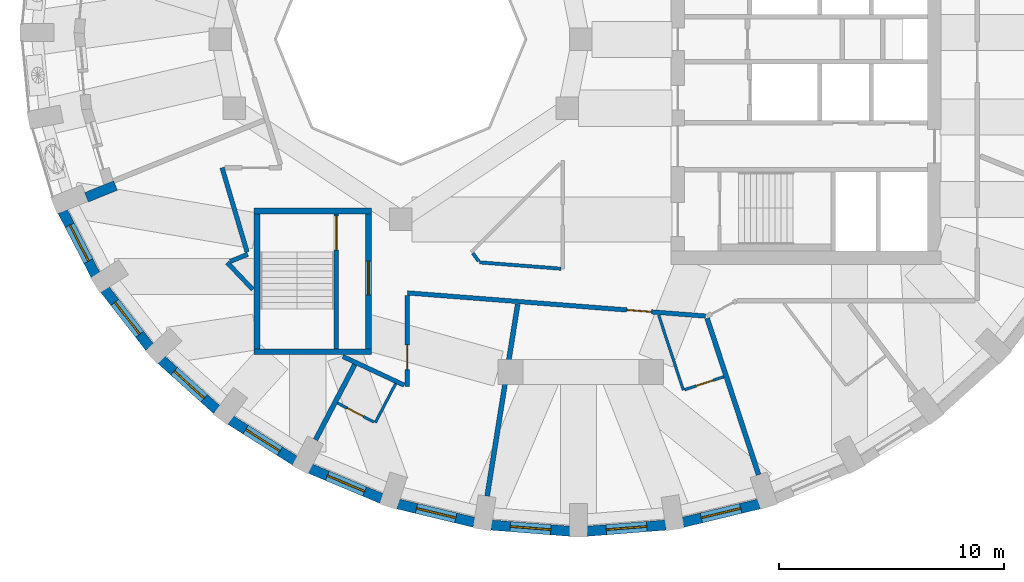
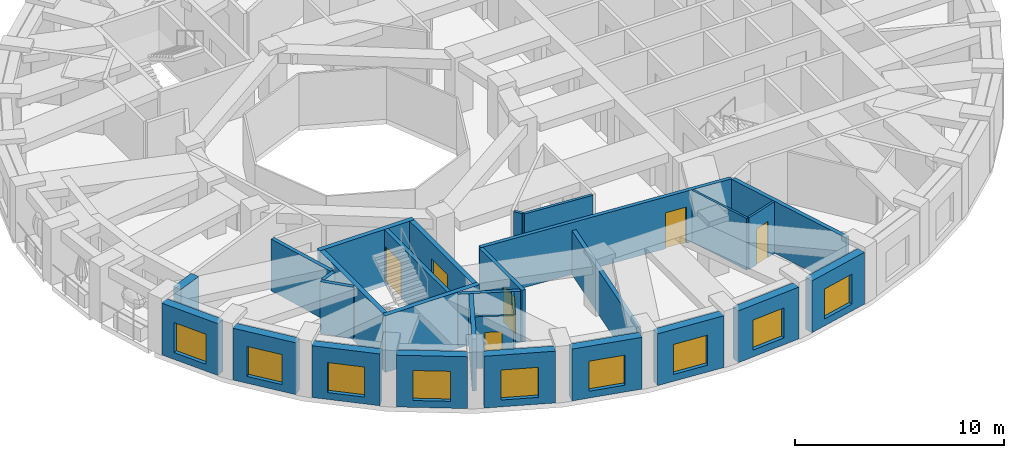
# One storey, part 3 of 12: 30 walls, 9 windows, 6 doors, 15 openings.
"""IFC4 building model written with IfcOpenShell, lengths in metres."""

from ifc_helpers import new_model, si_unit, direction, frame, frame_2d, origin, place, context, subcontext, project, spatial, rectangle, extrude, material, layer, layer_set, type_object, element, fill, save


model = new_model("IFC4")

# Units and contexts
model_context = context("Model", 3, precision=1e-05, world=origin(), true_north=direction((0.0, 1.0)))
body_context = subcontext(model_context, "Body", "Model", "MODEL_VIEW")
ifc_project = project(units=[si_unit("LENGTHUNIT", "METRE"), si_unit("AREAUNIT", "SQUARE_METRE"), si_unit("VOLUMEUNIT", "CUBIC_METRE"), si_unit("PLANEANGLEUNIT", "RADIAN"), si_unit("MASSUNIT", "GRAM", prefix="KILO")], contexts=[model_context])

# Site, building, storey
site_placement = place(None, origin())
site = spatial("IfcSite", under=ifc_project, at=site_placement, CompositionType="ELEMENT")
building_placement = place(site_placement, origin())
building = spatial("IfcBuilding", under=site, at=building_placement, Name="Taillehof Tower", CompositionType="ELEMENT")
storey_placement = place(building_placement, frame((0.0, 0.0, 233.300048828125)))
storey = spatial("IfcBuildingStorey", under=building, at=storey_placement, Name="L66", CompositionType="ELEMENT", Elevation=233.300048828125)

# Wall, opening, window
ifc_material_1 = material(Name="Brick masonry", Category="masonry")
ifc_layer_1 = layer(ifc_material_1, 0.449951171875)
ifc_layer_set_1 = layer_set([ifc_layer_1], Name="Brick infill wall 450")
wall_type_1 = type_object("IfcWallType", Name="Brick infill wall 450", PredefinedType="SOLIDWALL", material=ifc_layer_set_1)
wall_1_placement = place(storey_placement, frame((-23.010009765625, -7.6396484375, 0.0), z_axis=(0.0, 0.0, 1.0), x_axis=(0.459921155255, -0.887959757505, 0.0)))
wall_1 = element("IfcWall", 1, at=wall_1_placement, inside=storey, type_object=wall_type_1, Name="Brick wall L66 bay 21", PredefinedType="SOLIDWALL", context=body_context, shape_type="SweptSolid", body=[
    extrude(rectangle(XDim=3.185546875, YDim=0.449951171875, at=frame_2d((1.5927734375, 0.0))), origin(), (0.0, 0.0, 1.0), 3.02001953125),
])
opening_1_placement = place(wall_1_placement, frame((0.69287109375, 0.0, 0.39990234375)))
opening_1 = element("IfcOpeningElement", 2, at=opening_1_placement, cuts=wall_1, Name="Opening W4", PredefinedType="OPENING", context=body_context, shape_type="SweptSolid", body=[
    extrude(rectangle(XDim=1.800048828125, YDim=1.75, at=frame_2d((0.89990234375, 0.875))), frame((0.0, 0.23486328125, 0.0), z_axis=(0.0, -1.0, 0.0), x_axis=(1.0, 0.0, 0.0)), (0.0, 0.0, 1.0), 0.469970703125),
])
ifc_material_2 = material(Name="Aluminium window frame with clear double glazing", Category="aluminium")
window_type = type_object("IfcWindowType", Name="Deep-set window 1800x1750", PartitioningType="SINGLE_PANEL", PredefinedType="WINDOW", material=ifc_material_2)
window_1_placement = place(opening_1_placement, origin())
window_1 = element("IfcWindow", 3, at=window_1_placement, inside=storey, type_object=window_type, Name="W4", OverallHeight=1.75, OverallWidth=1.800048828125, PartitioningType="SINGLE_PANEL", PredefinedType="WINDOW", context=body_context, shape_type="SweptSolid", body=[
    extrude(rectangle(XDim=1.800048828125, YDim=1.75, at=frame_2d((0.89990234375, 0.875))), frame((0.0, 0.034912109375, 0.0), z_axis=(0.0, -1.0, 0.0), x_axis=(1.0, 0.0, 0.0)), (0.0, 0.0, 1.0), 0.06005859375),
])
fill(opening_1, window_1)

wall_2_placement = place(storey_placement, frame((-21.135009765625, -11.108642578125, 0.0), z_axis=(0.0, 0.0, 1.0), x_axis=(0.613898970825, -0.789384604372, 0.0)))
wall_2 = element("IfcWall", 4, at=wall_2_placement, inside=storey, type_object=wall_type_1, Name="Brick wall L66 bay 22", PredefinedType="SOLIDWALL", context=body_context, shape_type="SweptSolid", body=[
    extrude(rectangle(XDim=3.2470703125, YDim=0.449951171875, at=frame_2d((1.62353515625, 0.0))), origin(), (0.0, 0.0, 1.0), 3.02001953125),
])
opening_2_placement = place(wall_2_placement, frame((0.7236328125, 0.0, 0.39990234375)))
opening_2 = element("IfcOpeningElement", 5, at=opening_2_placement, cuts=wall_2, Name="Opening W4", PredefinedType="OPENING", context=body_context, shape_type="SweptSolid", body=[
    extrude(rectangle(XDim=1.800048828125, YDim=1.75, at=frame_2d((0.89990234375, 0.875))), frame((0.0, 0.23486328125, 0.0), z_axis=(0.0, -1.0, 0.0), x_axis=(1.0, 0.0, 0.0)), (0.0, 0.0, 1.0), 0.469970703125),
])
window_2_placement = place(opening_2_placement, origin())
window_2 = element("IfcWindow", 6, at=window_2_placement, inside=storey, type_object=window_type, Name="W4", OverallHeight=1.75, OverallWidth=1.800048828125, PartitioningType="SINGLE_PANEL", PredefinedType="WINDOW", context=body_context, shape_type="SweptSolid", body=[
    extrude(rectangle(XDim=1.800048828125, YDim=1.75, at=frame_2d((0.89990234375, 0.875))), frame((0.0, 0.034912109375, 0.0), z_axis=(0.0, -1.0, 0.0), x_axis=(1.0, 0.0, 0.0)), (0.0, 0.0, 1.0), 0.06005859375),
])
fill(opening_2, window_2)

wall_3_placement = place(storey_placement, frame((-18.623779296875, -14.228515625, 0.0), z_axis=(0.0, 0.0, 1.0), x_axis=(0.743166014219, -0.669107073128, 0.0)))
wall_3 = element("IfcWall", 7, at=wall_3_placement, inside=storey, type_object=wall_type_1, Name="Brick wall L66 bay 23", PredefinedType="SOLIDWALL", context=body_context, shape_type="SweptSolid", body=[
    extrude(rectangle(XDim=3.31640625, YDim=0.449951171875, at=frame_2d((1.658203125, 0.0))), origin(), (0.0, 0.0, 1.0), 3.02001953125),
])
opening_3_placement = place(wall_3_placement, frame((0.75830078125, 0.0, 0.39990234375)))
opening_3 = element("IfcOpeningElement", 8, at=opening_3_placement, cuts=wall_3, Name="Opening W4", PredefinedType="OPENING", context=body_context, shape_type="SweptSolid", body=[
    extrude(rectangle(XDim=1.800048828125, YDim=1.75, at=frame_2d((0.89990234375, 0.875))), frame((0.0, 0.23486328125, 0.0), z_axis=(0.0, -1.0, 0.0), x_axis=(1.0, 0.0, 0.0)), (0.0, 0.0, 1.0), 0.469970703125),
])
window_3_placement = place(opening_3_placement, origin())
window_3 = element("IfcWindow", 9, at=window_3_placement, inside=storey, type_object=window_type, Name="W4", OverallHeight=1.75, OverallWidth=1.800048828125, PartitioningType="SINGLE_PANEL", PredefinedType="WINDOW", context=body_context, shape_type="SweptSolid", body=[
    extrude(rectangle(XDim=1.800048828125, YDim=1.75, at=frame_2d((0.89990234375, 0.875))), frame((0.0, 0.034912109375, 0.0), z_axis=(0.0, -1.0, 0.0), x_axis=(1.0, 0.0, 0.0)), (0.0, 0.0, 1.0), 0.06005859375),
])
fill(opening_3, window_3)

wall_4_placement = place(storey_placement, frame((-15.552978515625, -16.906005859375, 0.0), z_axis=(0.0, 0.0, 1.0), x_axis=(0.845929139811, -0.53329531258, 0.0)))
wall_4 = element("IfcWall", 10, at=wall_4_placement, inside=storey, type_object=wall_type_1, Name="Brick wall L66 bay 24", PredefinedType="SOLIDWALL", context=body_context, shape_type="SweptSolid", body=[
    extrude(rectangle(XDim=3.384521484375, YDim=0.449951171875, at=frame_2d((1.6923828125, 0.0))), origin(), (0.0, 0.0, 1.0), 3.02001953125),
])
opening_4_placement = place(wall_4_placement, frame((0.792236328125, 0.0, 0.39990234375)))
opening_4 = element("IfcOpeningElement", 11, at=opening_4_placement, cuts=wall_4, Name="Opening W4", PredefinedType="OPENING", context=body_context, shape_type="SweptSolid", body=[
    extrude(rectangle(XDim=1.800048828125, YDim=1.75, at=frame_2d((0.89990234375, 0.875))), frame((0.0, 0.23486328125, 0.0), z_axis=(0.0, -1.0, 0.0), x_axis=(1.0, 0.0, 0.0)), (0.0, 0.0, 1.0), 0.469970703125),
])
window_4_placement = place(opening_4_placement, origin())
window_4 = element("IfcWindow", 12, at=window_4_placement, inside=storey, type_object=window_type, Name="W4", OverallHeight=1.75, OverallWidth=1.800048828125, PartitioningType="SINGLE_PANEL", PredefinedType="WINDOW", context=body_context, shape_type="SweptSolid", body=[
    extrude(rectangle(XDim=1.800048828125, YDim=1.75, at=frame_2d((0.89990234375, 0.875))), frame((0.0, 0.034912109375, 0.0), z_axis=(0.0, -1.0, 0.0), x_axis=(1.0, 0.0, 0.0)), (0.0, 0.0, 1.0), 0.06005859375),
])
fill(opening_4, window_4)

wall_5_placement = place(storey_placement, frame((-12.015625, -19.06201171875, 0.0), z_axis=(0.0, 0.0, 1.0), x_axis=(0.922049934692, -0.3870709469, 0.0)))
wall_5 = element("IfcWall", 13, at=wall_5_placement, inside=storey, type_object=wall_type_1, Name="Brick wall L66 bay 25", PredefinedType="SOLIDWALL", context=body_context, shape_type="SweptSolid", body=[
    extrude(rectangle(XDim=3.443115234375, YDim=0.449951171875, at=frame_2d((1.7216796875, 0.0))), origin(), (0.0, 0.0, 1.0), 3.02001953125),
])
opening_5_placement = place(wall_5_placement, frame((0.82177734375, 0.0, 0.39990234375)))
opening_5 = element("IfcOpeningElement", 14, at=opening_5_placement, cuts=wall_5, Name="Opening W4", PredefinedType="OPENING", context=body_context, shape_type="SweptSolid", body=[
    extrude(rectangle(XDim=1.800048828125, YDim=1.75, at=frame_2d((0.89990234375, 0.875))), frame((0.0, 0.23486328125, 0.0), z_axis=(0.0, -1.0, 0.0), x_axis=(1.0, 0.0, 0.0)), (0.0, 0.0, 1.0), 0.469970703125),
])
window_5_placement = place(opening_5_placement, origin())
window_5 = element("IfcWindow", 15, at=window_5_placement, inside=storey, type_object=window_type, Name="W4", OverallHeight=1.75, OverallWidth=1.800048828125, PartitioningType="SINGLE_PANEL", PredefinedType="WINDOW", context=body_context, shape_type="SweptSolid", body=[
    extrude(rectangle(XDim=1.800048828125, YDim=1.75, at=frame_2d((0.89990234375, 0.875))), frame((0.0, 0.034912109375, 0.0), z_axis=(0.0, -1.0, 0.0), x_axis=(1.0, 0.0, 0.0)), (0.0, 0.0, 1.0), 0.06005859375),
])
fill(opening_5, window_5)

wall_6_placement = place(storey_placement, frame((-8.11865234375, -20.6318359375, 0.0), z_axis=(0.0, 0.0, 1.0), x_axis=(0.972115243017, -0.234503633859, 0.0)))
wall_6 = element("IfcWall", 16, at=wall_6_placement, inside=storey, type_object=wall_type_1, Name="Brick wall L66 bay 26", PredefinedType="SOLIDWALL", context=body_context, shape_type="SweptSolid", body=[
    extrude(rectangle(XDim=3.486572265625, YDim=0.449951171875, at=frame_2d((1.7431640625, 0.0))), origin(), (0.0, 0.0, 1.0), 3.02001953125),
])
opening_6_placement = place(wall_6_placement, frame((0.84326171875, 0.0, 0.39990234375)))
opening_6 = element("IfcOpeningElement", 17, at=opening_6_placement, cuts=wall_6, Name="Opening W4", PredefinedType="OPENING", context=body_context, shape_type="SweptSolid", body=[
    extrude(rectangle(XDim=1.800048828125, YDim=1.75, at=frame_2d((0.89990234375, 0.875))), frame((0.0, 0.23486328125, 0.0), z_axis=(0.0, -1.0, 0.0), x_axis=(1.0, 0.0, 0.0)), (0.0, 0.0, 1.0), 0.469970703125),
])
window_6_placement = place(opening_6_placement, origin())
window_6 = element("IfcWindow", 18, at=window_6_placement, inside=storey, type_object=window_type, Name="W4", OverallHeight=1.75, OverallWidth=1.800048828125, PartitioningType="SINGLE_PANEL", PredefinedType="WINDOW", context=body_context, shape_type="SweptSolid", body=[
    extrude(rectangle(XDim=1.800048828125, YDim=1.75, at=frame_2d((0.89990234375, 0.875))), frame((0.0, 0.034912109375, 0.0), z_axis=(0.0, -1.0, 0.0), x_axis=(1.0, 0.0, 0.0)), (0.0, 0.0, 1.0), 0.06005859375),
])
fill(opening_6, window_6)

wall_7_placement = place(storey_placement, frame((-3.978515625, -21.56884765625, 0.0), z_axis=(0.0, 0.0, 1.0), x_axis=(0.996910775835, -0.078542377245, 0.0)))
wall_7 = element("IfcWall", 19, at=wall_7_placement, inside=storey, type_object=wall_type_1, Name="Brick wall L66 bay 27", PredefinedType="SOLIDWALL", context=body_context, shape_type="SweptSolid", body=[
    extrude(rectangle(XDim=3.50927734375, YDim=0.449951171875, at=frame_2d((1.754638671875, 0.0))), origin(), (0.0, 0.0, 1.0), 3.02001953125),
])
opening_7_placement = place(wall_7_placement, frame((0.854736328125, 0.0, 0.39990234375)))
opening_7 = element("IfcOpeningElement", 20, at=opening_7_placement, cuts=wall_7, Name="Opening W4", PredefinedType="OPENING", context=body_context, shape_type="SweptSolid", body=[
    extrude(rectangle(XDim=1.800048828125, YDim=1.75, at=frame_2d((0.89990234375, 0.875))), frame((0.0, 0.23486328125, 0.0), z_axis=(0.0, -1.0, 0.0), x_axis=(1.0, 0.0, 0.0)), (0.0, 0.0, 1.0), 0.469970703125),
])
window_7_placement = place(opening_7_placement, origin())
window_7 = element("IfcWindow", 21, at=window_7_placement, inside=storey, type_object=window_type, Name="W4", OverallHeight=1.75, OverallWidth=1.800048828125, PartitioningType="SINGLE_PANEL", PredefinedType="WINDOW", context=body_context, shape_type="SweptSolid", body=[
    extrude(rectangle(XDim=1.800048828125, YDim=1.75, at=frame_2d((0.89990234375, 0.875))), frame((0.0, 0.034912109375, 0.0), z_axis=(0.0, -1.0, 0.0), x_axis=(1.0, 0.0, 0.0)), (0.0, 0.0, 1.0), 0.06005859375),
])
fill(opening_7, window_7)

wall_8_placement = place(storey_placement, frame((0.280029296875, -21.844482421875, 0.0), z_axis=(0.0, 0.0, 1.0), x_axis=(0.996910775835, 0.078542377245, 0.0)))
wall_8 = element("IfcWall", 22, at=wall_8_placement, inside=storey, type_object=wall_type_1, Name="Brick wall L66 bay 28", PredefinedType="SOLIDWALL", context=body_context, shape_type="SweptSolid", body=[
    extrude(rectangle(XDim=3.50927734375, YDim=0.449951171875, at=frame_2d((1.754638671875, 0.0))), origin(), (0.0, 0.0, 1.0), 3.02001953125),
])
opening_8_placement = place(wall_8_placement, frame((0.854736328125, 0.0, 0.39990234375)))
opening_8 = element("IfcOpeningElement", 23, at=opening_8_placement, cuts=wall_8, Name="Opening W4", PredefinedType="OPENING", context=body_context, shape_type="SweptSolid", body=[
    extrude(rectangle(XDim=1.800048828125, YDim=1.75, at=frame_2d((0.89990234375, 0.875))), frame((0.0, 0.23486328125, 0.0), z_axis=(0.0, -1.0, 0.0), x_axis=(1.0, 0.0, 0.0)), (0.0, 0.0, 1.0), 0.469970703125),
])
window_8_placement = place(opening_8_placement, origin())
window_8 = element("IfcWindow", 24, at=window_8_placement, inside=storey, type_object=window_type, Name="W4", OverallHeight=1.75, OverallWidth=1.800048828125, PartitioningType="SINGLE_PANEL", PredefinedType="WINDOW", context=body_context, shape_type="SweptSolid", body=[
    extrude(rectangle(XDim=1.800048828125, YDim=1.75, at=frame_2d((0.89990234375, 0.875))), frame((0.0, 0.034912109375, 0.0), z_axis=(0.0, -1.0, 0.0), x_axis=(1.0, 0.0, 0.0)), (0.0, 0.0, 1.0), 0.06005859375),
])
fill(opening_8, window_8)

wall_9_placement = place(storey_placement, frame((4.529296875, -21.449462890625, 0.0), z_axis=(0.0, 0.0, 1.0), x_axis=(0.972115243017, 0.234503633859, 0.0)))
wall_9 = element("IfcWall", 25, at=wall_9_placement, inside=storey, type_object=wall_type_1, Name="Brick wall L66 bay 29", PredefinedType="SOLIDWALL", context=body_context, shape_type="SweptSolid", body=[
    extrude(rectangle(XDim=3.486572265625, YDim=0.449951171875, at=frame_2d((1.7431640625, 0.0))), origin(), (0.0, 0.0, 1.0), 3.02001953125),
])
opening_9_placement = place(wall_9_placement, frame((0.84326171875, 0.0, 0.39990234375)))
opening_9 = element("IfcOpeningElement", 26, at=opening_9_placement, cuts=wall_9, Name="Opening W4", PredefinedType="OPENING", context=body_context, shape_type="SweptSolid", body=[
    extrude(rectangle(XDim=1.800048828125, YDim=1.75, at=frame_2d((0.89990234375, 0.875))), frame((0.0, 0.23486328125, 0.0), z_axis=(0.0, -1.0, 0.0), x_axis=(1.0, 0.0, 0.0)), (0.0, 0.0, 1.0), 0.469970703125),
])
window_9_placement = place(opening_9_placement, origin())
window_9 = element("IfcWindow", 27, at=window_9_placement, inside=storey, type_object=window_type, Name="W4", OverallHeight=1.75, OverallWidth=1.800048828125, PartitioningType="SINGLE_PANEL", PredefinedType="WINDOW", context=body_context, shape_type="SweptSolid", body=[
    extrude(rectangle(XDim=1.800048828125, YDim=1.75, at=frame_2d((0.89990234375, 0.875))), frame((0.0, 0.034912109375, 0.0), z_axis=(0.0, -1.0, 0.0), x_axis=(1.0, 0.0, 0.0)), (0.0, 0.0, 1.0), 0.06005859375),
])
fill(opening_9, window_9)

# Wall
wall_10_placement = place(storey_placement, frame((-21.947998046875, -7.016845703125, 0.0), z_axis=(0.0, 0.0, 1.0), x_axis=(0.927577935879, 0.373629726964, 0.0)))
element("IfcWall", 28, at=wall_10_placement, inside=storey, type_object=wall_type_1, Name="Brick reveal L66 pocket 5", PredefinedType="SOLIDWALL", context=body_context, shape_type="SweptSolid", body=[
    extrude(rectangle(XDim=1.390380859375, YDim=0.449951171875, at=frame_2d((0.6953125, 0.0))), origin(), (0.0, 0.0, 1.0), 3.02001953125),
])

# Wall, opening, door
ifc_material_3 = material(Name="Gypsum board on steel studs, two layers each side", Category="steel")
ifc_layer_2 = layer(ifc_material_3, 0.199951171875)
ifc_layer_set_2 = layer_set([ifc_layer_2], Name="Compartment wall corridor 200")
wall_type_2 = type_object("IfcWallType", Name="Compartment wall corridor 200", PredefinedType="PARTITIONING", material=ifc_layer_set_2)
wall_11_placement = place(storey_placement, frame((5.54248046875, -12.289794921875, 0.0), z_axis=(0.0, 0.0, 1.0), x_axis=(-0.996994281558, 0.077475173702, 0.0)))
wall_11 = element("IfcWall", 29, at=wall_11_placement, inside=storey, type_object=wall_type_2, Name="Compartment wall", PredefinedType="PARTITIONING", context=body_context, shape_type="SweptSolid", body=[
    extrude(rectangle(XDim=13.282470703125, YDim=0.199951171875, at=frame_2d((6.64111328125, 0.0))), origin(), (0.0, 0.0, 1.0), 3.02001953125),
])
opening_10_placement = place(wall_11_placement, frame((2.411865234375, 0.0, 0.0)))
opening_10 = element("IfcOpeningElement", 30, at=opening_10_placement, cuts=wall_11, Name="Opening D6650", PredefinedType="OPENING", context=body_context, shape_type="SweptSolid", body=[
    extrude(rectangle(XDim=1.10009765625, YDim=2.10009765625, at=frame_2d((0.550048828125, 1.050048828125))), frame((0.0, 0.10986328125, 0.0), z_axis=(0.0, -1.0, 0.0), x_axis=(1.0, 0.0, 0.0)), (0.0, 0.0, 1.0), 0.219970703125),
])
ifc_material_4 = material(Name="Timber door leaf in steel frame", Category="steel")
door_type_1 = type_object("IfcDoorType", Name="Suite entrance door EI 30 1100 x 2100", OperationType="SINGLE_SWING_LEFT", PredefinedType="DOOR", material=ifc_material_4)
door_1_placement = place(opening_10_placement, origin())
door_1 = element("IfcDoor", 31, at=door_1_placement, inside=storey, type_object=door_type_1, Name="D6650", OperationType="SINGLE_SWING_LEFT", OverallHeight=2.10009765625, OverallWidth=1.10009765625, PredefinedType="DOOR", context=body_context, shape_type="SweptSolid", body=[
    extrude(rectangle(XDim=1.10009765625, YDim=2.10009765625, at=frame_2d((0.550048828125, 1.050048828125))), frame((0.0, 0.02490234375, 0.0), z_axis=(0.0, -1.0, 0.0), x_axis=(1.0, 0.0, 0.0)), (0.0, 0.0, 1.0), 0.050048828125),
])
fill(opening_10, door_1)

wall_12_placement = place(storey_placement, frame((-7.699951171875, -11.380859375, 0.0), z_axis=(0.0, 0.0, 1.0), x_axis=(0.0, -1.0, 0.0)))
wall_12 = element("IfcWall", 32, at=wall_12_placement, inside=storey, type_object=wall_type_2, Name="Compartment wall", PredefinedType="PARTITIONING", context=body_context, shape_type="SweptSolid", body=[
    extrude(rectangle(XDim=4.043212890625, YDim=0.199951171875, at=frame_2d((2.021484375, 0.0))), origin(), (0.0, 0.0, 1.0), 3.02001953125),
])
opening_11_placement = place(wall_12_placement, frame((2.188720703125, 0.0, 0.0)))
opening_11 = element("IfcOpeningElement", 33, at=opening_11_placement, cuts=wall_12, Name="Opening D6648", PredefinedType="OPENING", context=body_context, shape_type="SweptSolid", body=[
    extrude(rectangle(XDim=1.10009765625, YDim=2.10009765625, at=frame_2d((0.550048828125, 1.050048828125))), frame((0.0, 0.10986328125, 0.0), z_axis=(0.0, -1.0, 0.0), x_axis=(1.0, 0.0, 0.0)), (0.0, 0.0, 1.0), 0.219970703125),
])
door_2_placement = place(opening_11_placement, origin())
door_2 = element("IfcDoor", 34, at=door_2_placement, inside=storey, type_object=door_type_1, Name="D6648", OperationType="SINGLE_SWING_LEFT", OverallHeight=2.10009765625, OverallWidth=1.10009765625, PredefinedType="DOOR", context=body_context, shape_type="SweptSolid", body=[
    extrude(rectangle(XDim=1.10009765625, YDim=2.10009765625, at=frame_2d((0.550048828125, 1.050048828125))), frame((0.0, 0.02490234375, 0.0), z_axis=(0.0, -1.0, 0.0), x_axis=(1.0, 0.0, 0.0)), (0.0, 0.0, 1.0), 0.050048828125),
])
fill(opening_11, door_2)

# Walls
wall_13_placement = place(storey_placement, frame((-7.844482421875, -15.355712890625, 0.0), z_axis=(0.0, 0.0, 1.0), x_axis=(-0.90567561184, 0.423971327001, 0.0)))
element("IfcWall", 35, at=wall_13_placement, inside=storey, type_object=wall_type_2, Name="Compartment wall", PredefinedType="PARTITIONING", context=body_context, shape_type="SweptSolid", body=[
    extrude(rectangle(XDim=3.00244140625, YDim=0.199951171875, at=frame_2d((1.501220703125, 0.0))), origin(), (0.0, 0.0, 1.0), 3.02001953125),
])
wall_14_placement = place(storey_placement, frame((-14.562744140625, -11.11083984375, 0.0), z_axis=(0.0, 0.0, 1.0), x_axis=(-0.688574238414, 0.725165855645, 0.0)))
element("IfcWall", 36, at=wall_14_placement, inside=storey, type_object=wall_type_2, Name="Compartment wall", PredefinedType="PARTITIONING", context=body_context, shape_type="SweptSolid", body=[
    extrude(rectangle(XDim=1.64794921875, YDim=0.199951171875, at=frame_2d((0.823974609375, 0.0))), origin(), (0.0, 0.0, 1.0), 3.02001953125),
])
wall_15_placement = place(storey_placement, frame((-15.567626953125, -9.86279296875, 0.0), z_axis=(0.0, 0.0, 1.0), x_axis=(0.92779485846, 0.373090740457, 0.0)))
element("IfcWall", 37, at=wall_15_placement, inside=storey, type_object=wall_type_2, Name="Compartment wall", PredefinedType="PARTITIONING", context=body_context, shape_type="SweptSolid", body=[
    extrude(rectangle(XDim=0.841552734375, YDim=0.199951171875, at=frame_2d((0.4208984375, 0.0))), origin(), (0.0, 0.0, 1.0), 3.02001953125),
])
wall_16_placement = place(storey_placement, frame((-14.81494140625, -9.452392578125, 0.0), z_axis=(0.0, 0.0, 1.0), x_axis=(-0.284600079658, 0.958646334504, 0.0)))
element("IfcWall", 38, at=wall_16_placement, inside=storey, type_object=wall_type_2, Name="Compartment wall", PredefinedType="PARTITIONING", context=body_context, shape_type="SweptSolid", body=[
    extrude(rectangle(XDim=3.914306640625, YDim=0.199951171875, at=frame_2d((1.95703125, 0.0))), origin(), (0.0, 0.0, 1.0), 3.02001953125),
])
ifc_material_5 = material(Name="Gypsum board on double steel studs with mineral wool", Category="steel")
ifc_layer_3 = layer(ifc_material_5, 0.219970703125)
ifc_layer_set_3 = layer_set([ifc_layer_3], Name="Compartment wall guest room 220")
wall_type_3 = type_object("IfcWallType", Name="Compartment wall guest room 220", PredefinedType="PARTITIONING", material=ifc_layer_set_3)
wall_17_placement = place(storey_placement, frame((-11.7783203125, -17.784423828125, 0.0), z_axis=(0.0, 0.0, 1.0), x_axis=(0.462428808932, 0.886656414103, 0.0)))
element("IfcWall", 39, at=wall_17_placement, inside=storey, type_object=wall_type_3, Name="Compartment wall", PredefinedType="PARTITIONING", context=body_context, shape_type="SweptSolid", body=[
    extrude(rectangle(XDim=3.770751953125, YDim=0.219970703125, at=frame_2d((1.88525390625, 0.0))), origin(), (0.0, 0.0, 1.0), 3.02001953125),
])
wall_18_placement = place(storey_placement, frame((-4.158203125, -20.280517578125, 0.0), z_axis=(0.0, 0.0, 1.0), x_axis=(0.157248675007, 0.987559038341, 0.0)))
element("IfcWall", 40, at=wall_18_placement, inside=storey, type_object=wall_type_3, Name="Compartment wall", PredefinedType="PARTITIONING", context=body_context, shape_type="SweptSolid", body=[
    extrude(rectangle(XDim=8.626220703125, YDim=0.219970703125, at=frame_2d((4.31298828125, 0.0))), origin(), (0.0, 0.0, 1.0), 2.570068359375),
])
wall_19_placement = place(storey_placement, frame((7.891357421875, -19.331787109375, 0.0), z_axis=(0.0, 0.0, 1.0), x_axis=(-0.312264049527, 0.949995349132, 0.0)))
element("IfcWall", 41, at=wall_19_placement, inside=storey, type_object=wall_type_3, Name="Compartment wall", PredefinedType="PARTITIONING", context=body_context, shape_type="SweptSolid", body=[
    extrude(rectangle(XDim=7.303955078125, YDim=0.219970703125, at=frame_2d((3.65185546875, 0.0))), origin(), (0.0, 0.0, 1.0), 3.02001953125),
])
ifc_material_6 = material(Name="Gypsum board on steel studs, two layers each side", Category="steel")
ifc_layer_4 = layer(ifc_material_6, 0.14990234375)
ifc_layer_set_4 = layer_set([ifc_layer_4], Name="Compartment wall service room 150")
wall_type_4 = type_object("IfcWallType", Name="Compartment wall service room 150", PredefinedType="PARTITIONING", material=ifc_layer_set_4)
wall_20_placement = place(storey_placement, frame((-0.880126953125, -10.18603515625, 0.0), z_axis=(0.0, 0.0, 1.0), x_axis=(-0.996990060313, 0.077529475925, 0.0)))
element("IfcWall", 42, at=wall_20_placement, inside=storey, type_object=wall_type_4, Name="Compartment wall", PredefinedType="PARTITIONING", context=body_context, shape_type="SweptSolid", body=[
    extrude(rectangle(XDim=3.630859375, YDim=0.14990234375, at=frame_2d((1.8154296875, 0.0))), origin(), (0.0, 0.0, 1.0), 3.02001953125),
])
wall_21_placement = place(storey_placement, frame((-4.53515625, -9.856201171875, 0.0), z_axis=(0.0, 0.0, 1.0), x_axis=(-0.583807558681, 0.811892070676, 0.0)))
element("IfcWall", 43, at=wall_21_placement, inside=storey, type_object=wall_type_4, Name="Compartment wall", PredefinedType="PARTITIONING", context=body_context, shape_type="SweptSolid", body=[
    extrude(rectangle(XDim=0.43994140625, YDim=0.14990234375, at=frame_2d((0.219970703125, 0.0))), origin(), (0.0, 0.0, 1.0), 3.02001953125),
])
ifc_material_7 = material(Name="Gypsum board on steel studs, moisture resistant", Category="steel")
ifc_layer_5 = layer(ifc_material_7, 0.1201171875)
ifc_layer_set_5 = layer_set([ifc_layer_5], Name="En-suite wall 120")
wall_type_5 = type_object("IfcWallType", Name="En-suite wall 120", PredefinedType="PARTITIONING", material=ifc_layer_set_5)
wall_22_placement = place(storey_placement, frame((-8.221923828125, -15.2900390625, 0.0), z_axis=(0.0, 0.0, 1.0), x_axis=(-0.46232711024, -0.886709446853, 0.0)))
element("IfcWall", 44, at=wall_22_placement, inside=storey, type_object=wall_type_5, Name="En-suite wall", PredefinedType="PARTITIONING", context=body_context, shape_type="SweptSolid", body=[
    extrude(rectangle(XDim=1.9560546875, YDim=0.1201171875, at=frame_2d((0.97802734375, 0.0))), origin(), (0.0, 0.0, 1.0), 3.02001953125),
])
wall_23_placement = place(storey_placement, frame((3.456787109375, -12.246337890625, 0.0), z_axis=(0.0, 0.0, 1.0), x_axis=(0.312255646562, -0.949998111151, 0.0)))
element("IfcWall", 45, at=wall_23_placement, inside=storey, type_object=wall_type_5, Name="En-suite wall", PredefinedType="PARTITIONING", context=body_context, shape_type="SweptSolid", body=[
    extrude(rectangle(XDim=3.505859375, YDim=0.1201171875, at=frame_2d((1.7529296875, 0.0))), origin(), (0.0, 0.0, 1.0), 3.02001953125),
])

# Wall, opening, door
wall_24_placement = place(storey_placement, frame((-9.1796875, -16.99658203125, 0.0), z_axis=(0.0, 0.0, 1.0), x_axis=(-0.886720410479, 0.462306082201, 0.0)))
wall_24 = element("IfcWall", 46, at=wall_24_placement, inside=storey, type_object=wall_type_5, Name="En-suite wall", PredefinedType="PARTITIONING", context=body_context, shape_type="SweptSolid", body=[
    extrude(rectangle(XDim=1.829833984375, YDim=0.1201171875, at=frame_2d((0.9150390625, 0.0))), origin(), (0.0, 0.0, 1.0), 3.02001953125),
])
opening_12_placement = place(wall_24_placement, frame((0.539794921875, 0.0, 0.0)))
opening_12 = element("IfcOpeningElement", 47, at=opening_12_placement, cuts=wall_24, Name="Opening D6649", PredefinedType="OPENING", context=body_context, shape_type="SweptSolid", body=[
    extrude(rectangle(XDim=0.800048828125, YDim=2.10009765625, at=frame_2d((0.39990234375, 1.050048828125))), frame((0.0, 0.070068359375, 0.0), z_axis=(0.0, -1.0, 0.0), x_axis=(1.0, 0.0, 0.0)), (0.0, 0.0, 1.0), 0.14013671875),
])
ifc_material_8 = material(Name="Timber door leaf in steel frame", Category="steel")
door_type_2 = type_object("IfcDoorType", Name="En-suite door 800 x 2100", OperationType="SINGLE_SWING_LEFT", PredefinedType="DOOR", material=ifc_material_8)
door_3_placement = place(opening_12_placement, origin())
door_3 = element("IfcDoor", 48, at=door_3_placement, inside=storey, type_object=door_type_2, Name="D6649", OperationType="SINGLE_SWING_RIGHT", OverallHeight=2.10009765625, OverallWidth=0.800048828125, PredefinedType="DOOR", context=body_context, shape_type="SweptSolid", body=[
    extrude(rectangle(XDim=0.800048828125, YDim=2.10009765625, at=frame_2d((0.39990234375, 1.050048828125))), frame((0.0, 0.02490234375, 0.0), z_axis=(0.0, -1.0, 0.0), x_axis=(1.0, 0.0, 0.0)), (0.0, 0.0, 1.0), 0.050048828125),
])
fill(opening_12, door_3)

wall_25_placement = place(storey_placement, frame((4.6083984375, -15.55810546875, 0.0), z_axis=(0.0, 0.0, 1.0), x_axis=(0.949995576072, 0.312263359111, 0.0)))
wall_25 = element("IfcWall", 49, at=wall_25_placement, inside=storey, type_object=wall_type_5, Name="En-suite wall", PredefinedType="PARTITIONING", context=body_context, shape_type="SweptSolid", body=[
    extrude(rectangle(XDim=1.830322265625, YDim=0.1201171875, at=frame_2d((0.9150390625, 0.0))), origin(), (0.0, 0.0, 1.0), 3.02001953125),
])
opening_13_placement = place(wall_25_placement, frame((0.540283203125, 0.0, 0.0)))
opening_13 = element("IfcOpeningElement", 50, at=opening_13_placement, cuts=wall_25, Name="Opening D6651", PredefinedType="OPENING", context=body_context, shape_type="SweptSolid", body=[
    extrude(rectangle(XDim=0.800048828125, YDim=2.10009765625, at=frame_2d((0.39990234375, 1.050048828125))), frame((0.0, 0.070068359375, 0.0), z_axis=(0.0, -1.0, 0.0), x_axis=(1.0, 0.0, 0.0)), (0.0, 0.0, 1.0), 0.14013671875),
])
door_4_placement = place(opening_13_placement, origin())
door_4 = element("IfcDoor", 51, at=door_4_placement, inside=storey, type_object=door_type_2, Name="D6651", OperationType="SINGLE_SWING_LEFT", OverallHeight=2.10009765625, OverallWidth=0.800048828125, PredefinedType="DOOR", context=body_context, shape_type="SweptSolid", body=[
    extrude(rectangle(XDim=0.800048828125, YDim=2.10009765625, at=frame_2d((0.39990234375, 1.050048828125))), frame((0.0, 0.02490234375, 0.0), z_axis=(0.0, -1.0, 0.0), x_axis=(1.0, 0.0, 0.0)), (0.0, 0.0, 1.0), 0.050048828125),
])
fill(opening_13, door_4)

ifc_material_9 = material(Name="Concrete C50/60", Category="concrete")
ifc_layer_6 = layer(ifc_material_9, 0.199951171875)
ifc_layer_set_6 = layer_set([ifc_layer_6], Name="Shaft wall C50/60 200")
wall_type_6 = type_object("IfcWallType", Name="Shaft wall C50/60 200", PredefinedType="SHEAR", material=ifc_layer_set_6)
wall_26_placement = place(storey_placement, frame((-10.85009765625, -13.75, 0.0), z_axis=(0.0, 0.0, 1.0), x_axis=(0.0, 1.0, 0.0)))
wall_26 = element("IfcWall", 52, at=wall_26_placement, inside=storey, type_object=wall_type_6, Name="Shaft wall SW", PredefinedType="SHEAR", context=body_context, shape_type="SweptSolid", body=[
    extrude(rectangle(XDim=6.0, YDim=0.199951171875, at=frame_2d((3.0, 0.0))), origin(), (0.0, 0.0, 1.0), 3.02001953125),
])
opening_14_placement = place(wall_26_placement, frame((4.39990234375, 0.0, 0.0)))
opening_14 = element("IfcOpeningElement", 53, at=opening_14_placement, cuts=wall_26, Name="Opening D6613", PredefinedType="OPENING", context=body_context, shape_type="SweptSolid", body=[
    extrude(rectangle(XDim=1.5, YDim=2.10009765625, at=frame_2d((0.75, 1.050048828125))), frame((0.0, 0.10986328125, 0.0), z_axis=(0.0, -1.0, 0.0), x_axis=(1.0, 0.0, 0.0)), (0.0, 0.0, 1.0), 0.219970703125),
])
ifc_material_10 = material(Name="Steel-faced fire door", Category="steel")
door_type_3 = type_object("IfcDoorType", Name="Stair door 1500x2100", OperationType="DOUBLE_DOOR_SINGLE_SWING", PredefinedType="DOOR", material=ifc_material_10)
door_5_placement = place(opening_14_placement, origin())
door_5 = element("IfcDoor", 54, at=door_5_placement, inside=storey, type_object=door_type_3, Name="Stair lobby door S4", OperationType="DOUBLE_DOOR_SINGLE_SWING", OverallHeight=2.10009765625, OverallWidth=1.5, PredefinedType="DOOR", context=body_context, shape_type="SweptSolid", body=[
    extrude(rectangle(XDim=1.5, YDim=2.10009765625, at=frame_2d((0.75, 1.050048828125))), frame((0.0, 0.02490234375, 0.0), z_axis=(0.0, -1.0, 0.0), x_axis=(1.0, 0.0, 0.0)), (0.0, 0.0, 1.0), 0.050048828125),
])
fill(opening_14, door_5)

# Wall
ifc_material_11 = material(Name="Concrete C50/60", Category="concrete")
ifc_layer_7 = layer(ifc_material_11, 0.25)
ifc_layer_set_7 = layer_set([ifc_layer_7], Name="Stair wall C50/60 250")
wall_type_7 = type_object("IfcWallType", Name="Stair wall C50/60 250", PredefinedType="SHEAR", material=ifc_layer_set_7)
wall_27_placement = place(storey_placement, frame((-14.375, -13.75, -0.280029296875), z_axis=(0.0, 0.0, 1.0), x_axis=(0.0, 1.0, 0.0)))
element("IfcWall", 55, at=wall_27_placement, inside=storey, type_object=wall_type_7, Name="Stair wall SC", PredefinedType="SHEAR", context=body_context, shape_type="SweptSolid", body=[
    extrude(rectangle(XDim=6.0, YDim=0.25, at=frame_2d((3.0, 0.0))), origin(), (0.0, 0.0, 1.0), 3.300048828125),
])

# Wall, opening, door
wall_28_placement = place(storey_placement, frame((-9.425048828125, -13.75, -0.280029296875), z_axis=(0.0, 0.0, 1.0), x_axis=(0.0, 1.0, 0.0)))
wall_28 = element("IfcWall", 56, at=wall_28_placement, inside=storey, type_object=wall_type_7, Name="Stair wall SC", PredefinedType="SHEAR", context=body_context, shape_type="SweptSolid", body=[
    extrude(rectangle(XDim=6.0, YDim=0.25, at=frame_2d((3.0, 0.0))), origin(), (0.0, 0.0, 1.0), 3.300048828125),
])
opening_15_placement = place(wall_28_placement, frame((2.39990234375, 0.0, 0.280029296875)))
opening_15 = element("IfcOpeningElement", 57, at=opening_15_placement, cuts=wall_28, Name="Opening D6616", PredefinedType="OPENING", context=body_context, shape_type="SweptSolid", body=[
    extrude(rectangle(XDim=1.5, YDim=2.10009765625, at=frame_2d((0.75, 1.050048828125))), frame((0.0, 0.135009765625, 0.0), z_axis=(0.0, -1.0, 0.0), x_axis=(1.0, 0.0, 0.0)), (0.0, 0.0, 1.0), 0.27001953125),
])
door_6_placement = place(opening_15_placement, origin())
door_6 = element("IfcDoor", 58, at=door_6_placement, inside=storey, type_object=door_type_3, Name="Stair door S4", OperationType="DOUBLE_DOOR_SINGLE_SWING", OverallHeight=2.10009765625, OverallWidth=1.5, PredefinedType="DOOR", context=body_context, shape_type="SweptSolid", body=[
    extrude(rectangle(XDim=1.5, YDim=2.10009765625, at=frame_2d((0.75, 1.050048828125))), frame((0.0, 0.02490234375, 0.0), z_axis=(0.0, -1.0, 0.0), x_axis=(1.0, 0.0, 0.0)), (0.0, 0.0, 1.0), 0.050048828125),
])
fill(opening_15, door_6)

# Walls
for number, where, z_axis, x_axis, name in (
    (59, (-14.5, -7.625, -0.280029296875), (0.0, 0.0, 1.0), (1.0, 0.0, 0.0), "Stair wall SC"),
    (60, (-14.5, -13.875, -0.280029296875), (0.0, 0.0, 1.0), (1.0, 0.0, 0.0), "Stair wall SC"),
):
    element("IfcWall", number, at=place(storey_placement, frame(where, z_axis=z_axis, x_axis=x_axis)), inside=storey, type_object=wall_type_7, Name=name, PredefinedType="SHEAR", context=body_context, shape_type="SweptSolid", body=[
        extrude(rectangle(XDim=5.199951171875, YDim=0.25, at=frame_2d((2.60009765625, 0.0))), origin(), (0.0, 0.0, 1.0), 3.300048828125),
    ])

save(model, "model.ifc")
